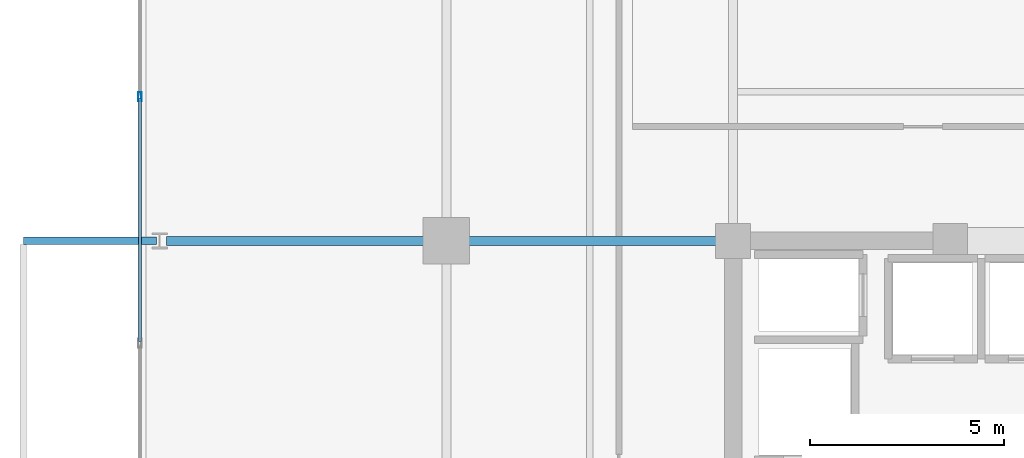
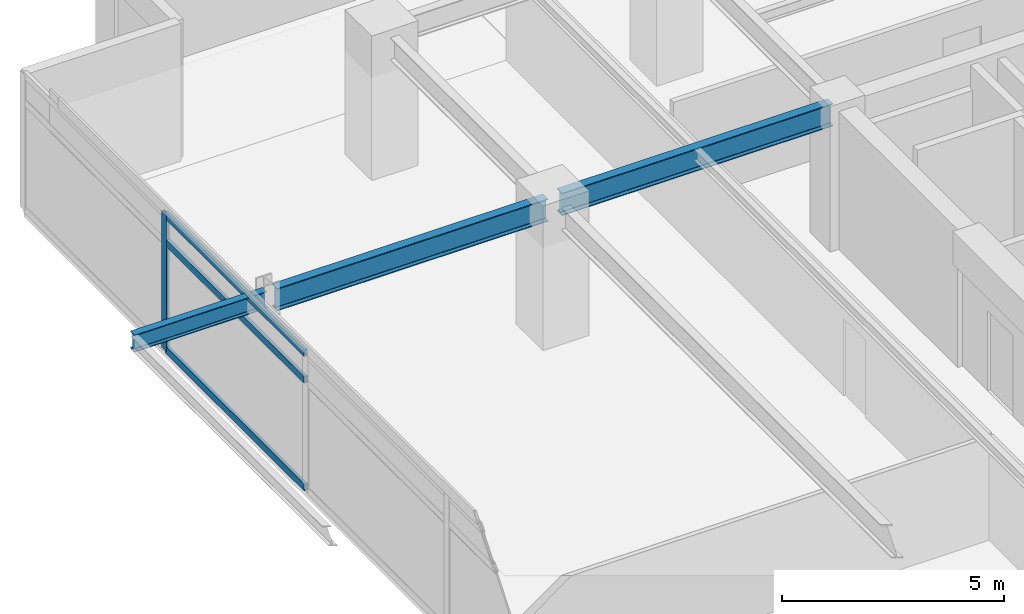
# One storey, part 10 of 23: 4 members, 3 beams, 1 element without a shape of its own.
"""IFC4 building model written with IfcOpenShell, lengths in metres."""

from ifc_helpers import new_model, si_unit, direction, frame, origin, origin_2d, place, context, subcontext, project, spatial, hollow_rectangle, i_section, extrude, material, material_profile, profile_set, type_object, element, aggregate, save


model = new_model("IFC4")

# Units and contexts
model_context = context("Model", 3, precision=1e-05, world=origin(), true_north=direction((0.0, 1.0)))
body_context = subcontext(model_context, "Body", "Model", "MODEL_VIEW")
ifc_project = project(units=[si_unit("LENGTHUNIT", "METRE"), si_unit("AREAUNIT", "SQUARE_METRE"), si_unit("VOLUMEUNIT", "CUBIC_METRE"), si_unit("PLANEANGLEUNIT", "RADIAN"), si_unit("MASSUNIT", "GRAM", prefix="KILO")], contexts=[model_context])

# Site, building, storey
site_placement = place(None, origin())
site = spatial("IfcSite", under=ifc_project, at=site_placement, CompositionType="ELEMENT")
building_placement = place(site_placement, origin())
building = spatial("IfcBuilding", under=site, at=building_placement, Name="Kovane Verandah Tower", CompositionType="ELEMENT")
storey_placement = place(building_placement, frame((0.0, 0.0, 243.199951171875)))
storey = spatial("IfcBuildingStorey", under=building, at=storey_placement, Name="L56", CompositionType="ELEMENT", Elevation=243.199951171875)

# Beams
ifc_material_1 = material(Name="Steel S355", Category="steel")
ifc_material_profile_1 = material_profile(ifc_material_1, i_section(OverallWidth=0.230224609375, OverallDepth=0.6171875, WebThickness=0.01318359375, FlangeThickness=0.022216796875, FilletRadius=0.0126953125, at=origin_2d()), Name="UB610x229x140")
ifc_profile_set_1 = profile_set([ifc_material_profile_1], Name="Steel S355")
beam_type_1 = type_object("IfcBeamType", Name="BM-UB610x140", PredefinedType="BEAM", material=ifc_profile_set_1)
for number, where, z_axis, x_axis, name in (
    (1, (28.820068359375, 36.5, 3.4765625), (-1.0, 0.0, 0.0), (0.0, -1.0, 0.0), "L56 Primary Tower Girder G-W2"),
    (2, (21.419921875, 36.5, 3.451416015625), (-1.0, 0.0, 0.0), (0.0, -1.0, 0.0), "L56 Primary Tower Girder G-VW2"),
):
    element("IfcBeam", number, at=place(storey_placement, frame(where, z_axis=z_axis, x_axis=x_axis)), inside=storey, type_object=beam_type_1, Name=name, PredefinedType="BEAM", context=body_context, shape_type="SweptSolid", body=[
        extrude(i_section(OverallWidth=0.230224609375, OverallDepth=0.6171875, WebThickness=0.01318359375, FlangeThickness=0.022216796875, FilletRadius=0.0126953125, at=origin_2d()), origin(), (0.0, 0.0, 1.0), 7.0400390625),
    ])

# Curtain wall, members
ifc_material_2 = material(Name="Champagne Anodised Aluminium Frame with Low-E Clear Laminated Glass", Category="aluminium")
curtain_wall_type = type_object("IfcCurtainWallType", Name="CW-SYS-05-HIGH", PredefinedType="NOTDEFINED", material=ifc_material_2)
curtain_wall_placement = place(storey_placement, origin())
curtain_wall = element("IfcCurtainWall", 3, at=curtain_wall_placement, inside=storey, type_object=curtain_wall_type, Name="L56 W Unitised Curtain Wall", PredefinedType="NOTDEFINED")
ifc_material_3 = material(Name="Champagne Anodised Aluminium 6063-T6", Category="aluminium")
ifc_material_profile_2 = material_profile(ifc_material_3, hollow_rectangle(XDim=0.0849609375, YDim=0.22998046875, WallThickness=0.00390625, at=origin_2d()), Name="AL85x230x4")
ifc_profile_set_2 = profile_set([ifc_material_profile_2], Name="Champagne Anodised Aluminium 6063-T6")
member_type_1 = type_object("IfcMemberType", Name="CW-MUL-85x230", PredefinedType="MULLION", material=ifc_profile_set_2)
member_1_placement = place(storey_placement, frame((13.6923828125, 40.219970703125, 0.02001953125), z_axis=(0.0, 0.0, 1.0), x_axis=(-1.0, 0.0, 0.0)))
member_1 = element("IfcMember", 4, at=member_1_placement, type_object=member_type_1, Name="L56 W Unitised Curtain Wall Mullion 2", PredefinedType="MULLION", context=body_context, shape_type="SweptSolid", body=[
    extrude(hollow_rectangle(XDim=0.0849609375, YDim=0.22998046875, WallThickness=0.00390625, at=origin_2d()), origin(), (0.0, 0.0, 1.0), 3.7451171875),
])
ifc_material_profile_3 = material_profile(ifc_material_3, hollow_rectangle(XDim=0.0849609375, YDim=0.18994140625, WallThickness=0.00390625, at=origin_2d()), Name="AL85x190x4")
ifc_profile_set_3 = profile_set([ifc_material_profile_3], Name="Champagne Anodised Aluminium 6063-T6")
member_type_2 = type_object("IfcMemberType", Name="CW-TRN-85x190", PredefinedType="USERDEFINED", material=ifc_profile_set_3)
member_2_placement = place(storey_placement, frame((13.6923828125, 40.169921875, 0.050048828125), z_axis=(0.0, -1.0, 0.0), x_axis=(1.0, 0.0, 0.0)))
member_2 = element("IfcMember", 5, at=member_2_placement, type_object=member_type_2, Name="L56 W Unitised Curtain Wall Transom TB Bay 2", ObjectType="TRANSOM", PredefinedType="USERDEFINED", context=body_context, shape_type="SweptSolid", body=[
    extrude(hollow_rectangle(XDim=0.0849609375, YDim=0.18994140625, WallThickness=0.00390625, at=origin_2d()), origin(), (0.0, 0.0, 1.0), 6.260009765625),
])
member_3_placement = place(storey_placement, frame((13.6923828125, 40.169921875, 3.005126953125), z_axis=(0.0, -1.0, 0.0), x_axis=(1.0, 0.0, 0.0)))
member_3 = element("IfcMember", 6, at=member_3_placement, type_object=member_type_2, Name="L56 W Unitised Curtain Wall Transom TM Bay 2", ObjectType="TRANSOM", PredefinedType="USERDEFINED", context=body_context, shape_type="SweptSolid", body=[
    extrude(hollow_rectangle(XDim=0.0849609375, YDim=0.18994140625, WallThickness=0.00390625, at=origin_2d()), origin(), (0.0, 0.0, 1.0), 6.260009765625),
])
member_4_placement = place(storey_placement, frame((13.6923828125, 40.169921875, 3.735107421875), z_axis=(0.0, -1.0, 0.0), x_axis=(1.0, 0.0, 0.0)))
member_4 = element("IfcMember", 7, at=member_4_placement, type_object=member_type_2, Name="L56 W Unitised Curtain Wall Transom TT Bay 2", ObjectType="TRANSOM", PredefinedType="USERDEFINED", context=body_context, shape_type="SweptSolid", body=[
    extrude(hollow_rectangle(XDim=0.0849609375, YDim=0.18994140625, WallThickness=0.00390625, at=origin_2d()), origin(), (0.0, 0.0, 1.0), 6.260009765625),
])
aggregate(curtain_wall, [member_1, member_2, member_3, member_4])

# Beam
ifc_material_profile_4 = material_profile(ifc_material_1, i_section(OverallWidth=0.19287109375, OverallDepth=0.46728515625, WebThickness=0.011474609375, FlangeThickness=0.01953125, FilletRadius=0.01025390625, at=origin_2d()), Name="UB457x191x98")
ifc_profile_set_4 = profile_set([ifc_material_profile_4], Name="Steel S355")
beam_type_2 = type_object("IfcBeamType", Name="JST-UB457x98", PredefinedType="JOIST", material=ifc_profile_set_4)
beam_placement = place(storey_placement, frame((14.1201171875, 36.5, 3.5263671875), z_axis=(-1.0, 0.0, 0.0), x_axis=(0.0, -1.0, 0.0)))
element("IfcBeam", 8, at=beam_placement, inside=storey, type_object=beam_type_2, Name="L56 West Planter Girder 2", PredefinedType="JOIST", context=body_context, shape_type="SweptSolid", body=[
    extrude(i_section(OverallWidth=0.19287109375, OverallDepth=0.46728515625, WebThickness=0.011474609375, FlangeThickness=0.01953125, FilletRadius=0.01025390625, at=origin_2d()), origin(), (0.0, 0.0, 1.0), 3.4365234375),
])

save(model, "model.ifc")
